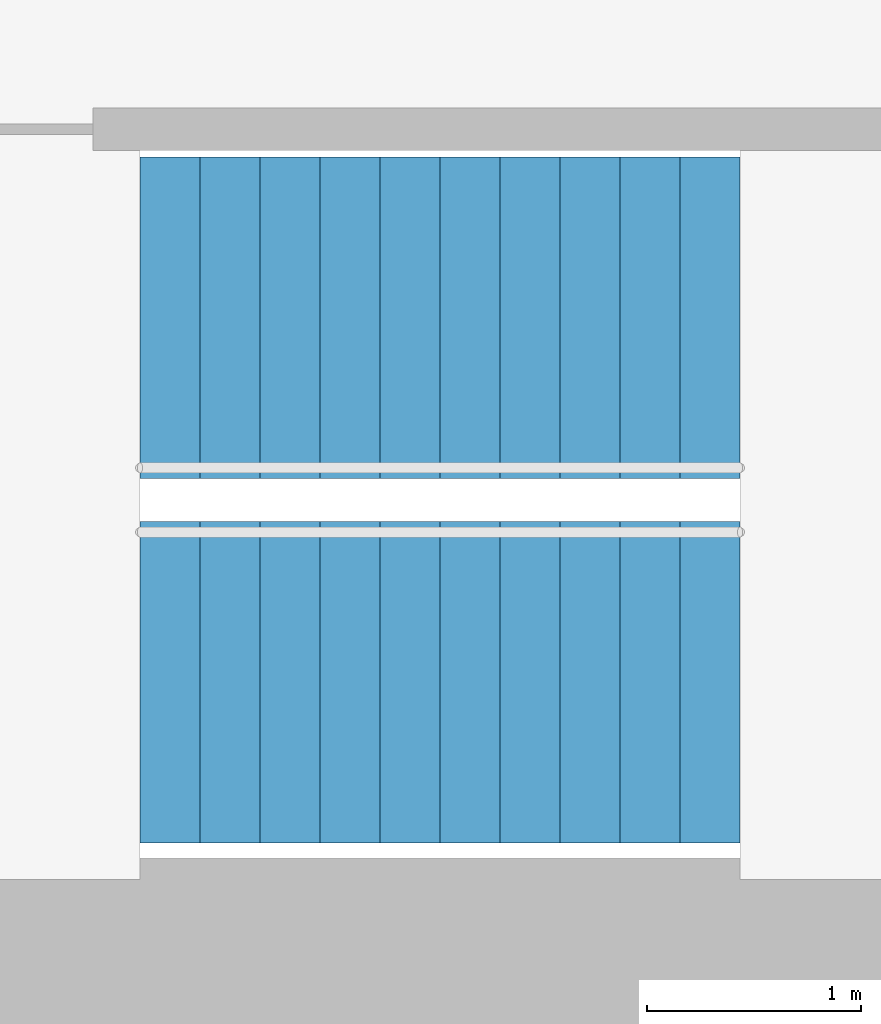
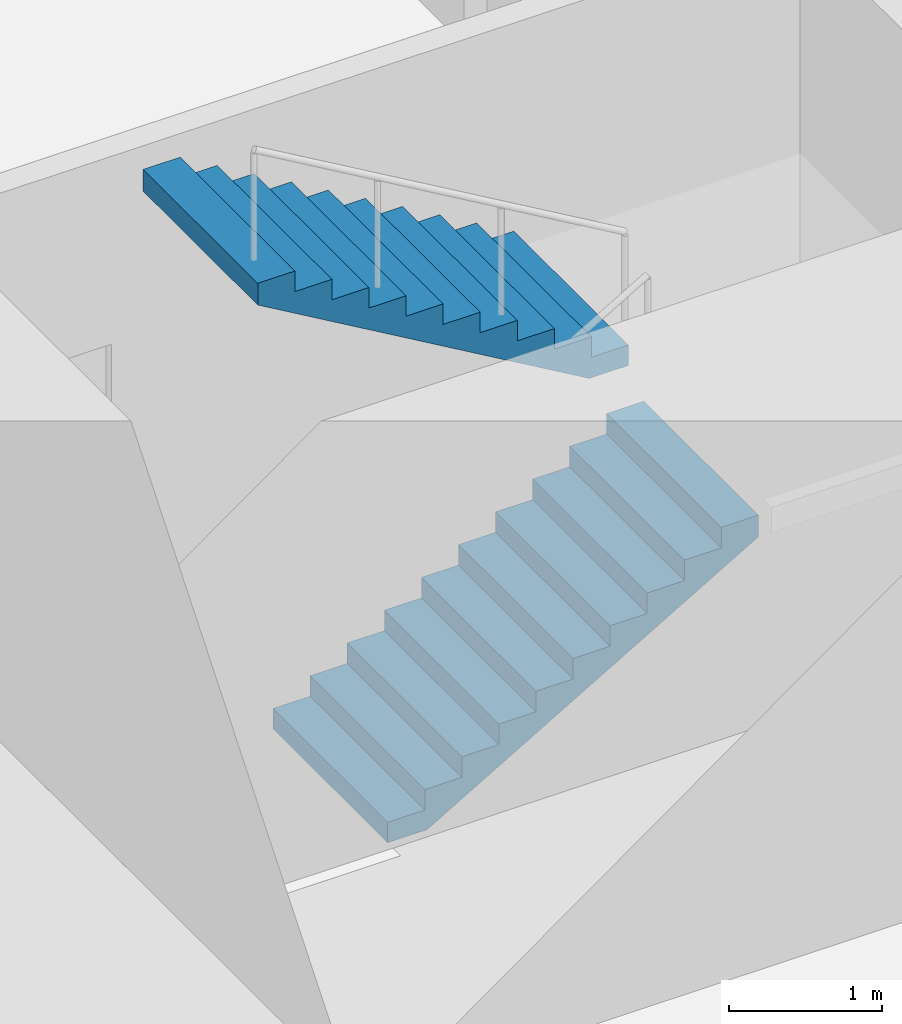
# One storey, part 14 of 17: 2 stair flights, 1 element without a shape of its own.
"""IFC4 building model written with IfcOpenShell, lengths in metres."""

from ifc_helpers import new_model, si_unit, direction, frame, origin, place, context, subcontext, project, spatial, triangles, material, type_object, element, aggregate, save


model = new_model("IFC4")

# Units and contexts
model_context = context("Model", 3, precision=1e-05, world=origin(), true_north=direction((0.0, 1.0)))
body_context = subcontext(model_context, "Body", "Model", "MODEL_VIEW")
ifc_project = project(units=[si_unit("LENGTHUNIT", "METRE"), si_unit("AREAUNIT", "SQUARE_METRE"), si_unit("VOLUMEUNIT", "CUBIC_METRE"), si_unit("PLANEANGLEUNIT", "RADIAN"), si_unit("MASSUNIT", "GRAM", prefix="KILO")], contexts=[model_context])

# Site, building, storey
site_placement = place(None, origin())
site = spatial("IfcSite", under=ifc_project, at=site_placement, CompositionType="ELEMENT")
building_placement = place(site_placement, origin())
building = spatial("IfcBuilding", under=site, at=building_placement, Name="Lantaw Convention Tower", CompositionType="ELEMENT")
storey_placement = place(building_placement, frame((0.0, 0.0, 69.39990234375)))
storey = spatial("IfcBuildingStorey", under=building, at=storey_placement, Name="L15", CompositionType="ELEMENT", Elevation=69.39990234375)

# Stair, stair flights
ifc_material = material(Name="Concrete C35/45", Category="concrete")
stair_type = type_object("IfcStairType", Name="Exit stair 1500 riser 163.64 in 2 flights", PredefinedType="HALF_TURN_STAIR", material=ifc_material)
stair_placement = place(storey_placement, origin())
stair = element("IfcStair", 1, at=stair_placement, inside=storey, type_object=stair_type, Name="Exit stair S1 L15", PredefinedType="HALF_TURN_STAIR")
stair_flight_type = type_object("IfcStairFlightType", Name="Stair flight 1500 riser 163.64", PredefinedType="STRAIGHT", material=ifc_material)
stair_flight_1_placement = place(storey_placement, frame((-10.580078125, -5.97998046875, 0.0), z_axis=(0.0, 0.0, 1.0), x_axis=(1.0, 0.0, 0.0)))
stair_flight_1 = element("IfcStairFlight", 2, at=stair_flight_1_placement, type_object=stair_flight_type, Name="S1 flight 1", NumberOfRisers=11, NumberOfTreads=10, PredefinedType="STRAIGHT", RiserHeight=0.163636364, TreadLength=0.28, context=body_context, shape_type="Tessellation", body=[
    triangles([(0.0, 0.75, 0.0), (0.0, 0.75, 0.163636364), (0.28, 0.75, 0.0), (0.28, 0.75, 0.163636364), (0.28, 0.75, 0.327272728), (0.2970904571225277, 0.75, 0.0), (0.2970904571225277, 0.75, 0.327272728), (0.56, 0.75, 0.1536484344906131), (0.56, 0.75, 0.327272728), (0.56, 0.75, 0.490909092), (0.8400000000000001, 0.75, 0.3172847984906131), (0.8400000000000001, 0.75, 0.490909092), (0.8400000000000001, 0.75, 0.654545456), (1.12, 0.75, 0.4809211624906131), (1.12, 0.75, 0.654545456), (1.12, 0.75, 0.8181818200000001), (1.4000000000000001, 0.75, 0.6445575264906132), (1.4000000000000001, 0.75, 0.8181818200000001), (1.4000000000000001, 0.75, 0.981818184), (1.6800000000000002, 0.75, 0.8081938904906131), (1.6800000000000002, 0.75, 0.981818184), (1.6800000000000002, 0.75, 1.145454548), (1.9600000000000002, 0.75, 0.9718302544906131), (1.9600000000000002, 0.75, 1.145454548), (1.9600000000000002, 0.75, 1.309090912), (2.24, 0.75, 1.135466618490613), (2.24, 0.75, 1.309090912), (2.24, 0.75, 1.472727276), (2.5200000000000005, 0.75, 1.2991029824906133), (2.5200000000000005, 0.75, 1.472727276), (2.5200000000000005, 0.75, 1.6363636400000001), (2.8000000000000003, 0.75, 1.462739346490613), (2.8000000000000003, 0.75, 1.6363636400000001), (0.0, -0.75, 0.0), (0.0, -0.75, 0.163636364), (0.28, -0.75, 0.0), (0.28, -0.75, 0.163636364), (0.28, -0.75, 0.327272728), (0.2970904571225277, -0.75, 0.0), (0.2970904571225277, -0.75, 0.327272728), (0.56, -0.75, 0.1536484344906131), (0.56, -0.75, 0.327272728), (0.56, -0.75, 0.490909092), (0.8400000000000001, -0.75, 0.3172847984906131), (0.8400000000000001, -0.75, 0.490909092), (0.8400000000000001, -0.75, 0.654545456), (1.12, -0.75, 0.4809211624906131), (1.12, -0.75, 0.654545456), (1.12, -0.75, 0.8181818200000001), (1.4000000000000001, -0.75, 0.6445575264906132), (1.4000000000000001, -0.75, 0.8181818200000001), (1.4000000000000001, -0.75, 0.981818184), (1.6800000000000002, -0.75, 0.8081938904906131), (1.6800000000000002, -0.75, 0.981818184), (1.6800000000000002, -0.75, 1.145454548), (1.9600000000000002, -0.75, 0.9718302544906131), (1.9600000000000002, -0.75, 1.145454548), (1.9600000000000002, -0.75, 1.309090912), (2.24, -0.75, 1.135466618490613), (2.24, -0.75, 1.309090912), (2.24, -0.75, 1.472727276), (2.5200000000000005, -0.75, 1.2991029824906133), (2.5200000000000005, -0.75, 1.472727276), (2.5200000000000005, -0.75, 1.6363636400000001), (2.8000000000000003, -0.75, 1.462739346490613), (2.8000000000000003, -0.75, 1.6363636400000001), (0.0, 0.15000000000000002, 0.163636364), (0.0, 0.15000000000000002, 0.0), (0.0, 0.0, 0.163636364), (0.0, 0.0, 0.0), (0.0, -0.15000000000000002, 0.163636364), (0.0, -0.15000000000000002, 0.0), (0.28, 0.15000000000000002, 0.327272728), (0.28, 0.15000000000000002, 0.163636364), (0.28, 0.0, 0.327272728), (0.28, 0.0, 0.163636364), (0.28, -0.15000000000000002, 0.327272728), (0.28, -0.15000000000000002, 0.163636364), (0.56, 0.15000000000000002, 0.490909092), (0.56, 0.15000000000000002, 0.327272728), (0.56, 0.0, 0.490909092), (0.56, 0.0, 0.327272728), (0.56, -0.15000000000000002, 0.490909092), (0.56, -0.15000000000000002, 0.327272728), (0.8400000000000001, 0.15000000000000002, 0.654545456), (0.8400000000000001, 0.15000000000000002, 0.490909092), (0.8400000000000001, 0.0, 0.654545456), (0.8400000000000001, 0.0, 0.490909092), (0.8400000000000001, -0.15000000000000002, 0.654545456), (0.8400000000000001, -0.15000000000000002, 0.490909092), (1.12, 0.15000000000000002, 0.8181818200000001), (1.12, 0.15000000000000002, 0.654545456), (1.12, 0.0, 0.8181818200000001), (1.12, 0.0, 0.654545456), (1.12, -0.15000000000000002, 0.8181818200000001), (1.12, -0.15000000000000002, 0.654545456), (1.4000000000000001, 0.15000000000000002, 0.981818184), (1.4000000000000001, 0.15000000000000002, 0.8181818200000001), (1.4000000000000001, 0.0, 0.981818184), (1.4000000000000001, 0.0, 0.8181818200000001), (1.4000000000000001, -0.15000000000000002, 0.981818184), (1.4000000000000001, -0.15000000000000002, 0.8181818200000001), (1.6800000000000002, 0.15000000000000002, 1.145454548), (1.6800000000000002, 0.15000000000000002, 0.981818184), (1.6800000000000002, 0.0, 1.145454548), (1.6800000000000002, 0.0, 0.981818184), (1.6800000000000002, -0.15000000000000002, 1.145454548), (1.6800000000000002, -0.15000000000000002, 0.981818184), (1.9600000000000002, 0.15000000000000002, 1.309090912), (1.9600000000000002, 0.15000000000000002, 1.145454548), (1.9600000000000002, 0.0, 1.309090912), (1.9600000000000002, 0.0, 1.145454548), (1.9600000000000002, -0.15000000000000002, 1.309090912), (1.9600000000000002, -0.15000000000000002, 1.145454548), (2.24, 0.15000000000000002, 1.472727276), (2.24, 0.15000000000000002, 1.309090912), (2.24, 0.0, 1.472727276), (2.24, 0.0, 1.309090912), (2.24, -0.15000000000000002, 1.472727276), (2.24, -0.15000000000000002, 1.309090912), (2.5200000000000005, 0.15000000000000002, 1.6363636400000001), (2.5200000000000005, 0.15000000000000002, 1.472727276), (2.5200000000000005, 0.0, 1.6363636400000001), (2.5200000000000005, 0.0, 1.472727276), (2.5200000000000005, -0.15000000000000002, 1.6363636400000001), (2.5200000000000005, -0.15000000000000002, 1.472727276), (0.2970904571225277, 0.15000000000000002, 0.327272728), (0.2970904571225277, 0.0, 0.327272728), (0.2970904571225277, -0.15000000000000002, 0.327272728), (2.8000000000000003, 0.15000000000000002, 1.6363636400000001), (2.8000000000000003, 0.0, 1.6363636400000001), (2.8000000000000003, -0.15000000000000002, 1.6363636400000001), (2.8000000000000003, 0.15000000000000002, 1.462739346490613), (2.8000000000000003, 0.0, 1.462739346490613), (2.8000000000000003, -0.15000000000000002, 1.462739346490613), (2.5200000000000005, 0.15000000000000002, 1.2991029824906133), (2.5200000000000005, 0.0, 1.2991029824906133), (2.5200000000000005, -0.15000000000000002, 1.2991029824906133), (2.24, 0.15000000000000002, 1.135466618490613), (2.24, 0.0, 1.135466618490613), (2.24, -0.15000000000000002, 1.135466618490613), (1.9600000000000002, 0.15000000000000002, 0.9718302544906131), (1.9600000000000002, 0.0, 0.9718302544906131), (1.9600000000000002, -0.15000000000000002, 0.9718302544906131), (1.6800000000000002, 0.15000000000000002, 0.8081938904906131), (1.6800000000000002, 0.0, 0.8081938904906131), (1.6800000000000002, -0.15000000000000002, 0.8081938904906131), (1.4000000000000001, 0.15000000000000002, 0.6445575264906132), (1.4000000000000001, 0.0, 0.6445575264906132), (1.4000000000000001, -0.15000000000000002, 0.6445575264906132), (1.12, 0.15000000000000002, 0.4809211624906131), (1.12, 0.0, 0.4809211624906131), (1.12, -0.15000000000000002, 0.4809211624906131), (0.8400000000000001, 0.15000000000000002, 0.3172847984906131), (0.8400000000000001, 0.0, 0.3172847984906131), (0.8400000000000001, -0.15000000000000002, 0.3172847984906131), (0.56, 0.15000000000000002, 0.1536484344906131), (0.56, 0.0, 0.1536484344906131), (0.56, -0.15000000000000002, 0.1536484344906131), (0.2970904571225277, 0.15000000000000002, 0.0), (0.2970904571225277, 0.0, 0.0), (0.2970904571225277, -0.15000000000000002, 0.0), (0.28, 0.15000000000000002, 0.0), (0.28, 0.0, 0.0), (0.28, -0.15000000000000002, 0.0)], [[1, 4, 3], [1, 2, 4], [3, 4, 6], [4, 7, 6], [4, 5, 7], [6, 9, 8], [6, 7, 9], [8, 9, 11], [9, 12, 11], [9, 10, 12], [11, 12, 14], [12, 15, 14], [12, 13, 15], [14, 15, 17], [15, 18, 17], [15, 16, 18], [17, 18, 20], [18, 21, 20], [18, 19, 21], [20, 21, 23], [21, 24, 23], [21, 22, 24], [23, 24, 26], [24, 27, 26], [24, 25, 27], [26, 27, 29], [27, 30, 29], [27, 28, 30], [29, 30, 32], [30, 33, 32], [30, 31, 33], [34, 36, 37], [34, 37, 35], [36, 39, 37], [37, 39, 40], [37, 40, 38], [39, 41, 42], [39, 42, 40], [41, 44, 42], [42, 44, 45], [42, 45, 43], [44, 47, 45], [45, 47, 48], [45, 48, 46], [47, 50, 48], [48, 50, 51], [48, 51, 49], [50, 53, 51], [51, 53, 54], [51, 54, 52], [53, 56, 54], [54, 56, 57], [54, 57, 55], [56, 59, 57], [57, 59, 60], [57, 60, 58], [59, 62, 60], [60, 62, 63], [60, 63, 61], [62, 65, 63], [63, 65, 66], [63, 66, 64], [1, 67, 2], [1, 68, 67], [68, 69, 67], [68, 70, 69], [70, 71, 69], [70, 72, 71], [72, 35, 71], [72, 34, 35], [4, 73, 5], [4, 74, 73], [74, 75, 73], [74, 76, 75], [76, 77, 75], [76, 78, 77], [78, 38, 77], [78, 37, 38], [9, 79, 10], [9, 80, 79], [80, 81, 79], [80, 82, 81], [82, 83, 81], [82, 84, 83], [84, 43, 83], [84, 42, 43], [12, 85, 13], [12, 86, 85], [86, 87, 85], [86, 88, 87], [88, 89, 87], [88, 90, 89], [90, 46, 89], [90, 45, 46], [15, 91, 16], [15, 92, 91], [92, 93, 91], [92, 94, 93], [94, 95, 93], [94, 96, 95], [96, 49, 95], [96, 48, 49], [18, 97, 19], [18, 98, 97], [98, 99, 97], [98, 100, 99], [100, 101, 99], [100, 102, 101], [102, 52, 101], [102, 51, 52], [21, 103, 22], [21, 104, 103], [104, 105, 103], [104, 106, 105], [106, 107, 105], [106, 108, 107], [108, 55, 107], [108, 54, 55], [24, 109, 25], [24, 110, 109], [110, 111, 109], [110, 112, 111], [112, 113, 111], [112, 114, 113], [114, 58, 113], [114, 57, 58], [27, 115, 28], [27, 116, 115], [116, 117, 115], [116, 118, 117], [118, 119, 117], [118, 120, 119], [120, 61, 119], [120, 60, 61], [30, 121, 31], [30, 122, 121], [122, 123, 121], [122, 124, 123], [124, 125, 123], [124, 126, 125], [126, 64, 125], [126, 63, 64], [2, 74, 4], [2, 67, 74], [67, 76, 74], [67, 69, 76], [69, 78, 76], [69, 71, 78], [71, 37, 78], [71, 35, 37], [5, 127, 7], [5, 73, 127], [73, 128, 127], [73, 75, 128], [75, 129, 128], [75, 77, 129], [77, 40, 129], [77, 38, 40], [7, 80, 9], [7, 127, 80], [127, 82, 80], [127, 128, 82], [128, 84, 82], [128, 129, 84], [129, 42, 84], [129, 40, 42], [10, 86, 12], [10, 79, 86], [79, 88, 86], [79, 81, 88], [81, 90, 88], [81, 83, 90], [83, 45, 90], [83, 43, 45], [13, 92, 15], [13, 85, 92], [85, 94, 92], [85, 87, 94], [87, 96, 94], [87, 89, 96], [89, 48, 96], [89, 46, 48], [16, 98, 18], [16, 91, 98], [91, 100, 98], [91, 93, 100], [93, 102, 100], [93, 95, 102], [95, 51, 102], [95, 49, 51], [19, 104, 21], [19, 97, 104], [97, 106, 104], [97, 99, 106], [99, 108, 106], [99, 101, 108], [101, 54, 108], [101, 52, 54], [22, 110, 24], [22, 103, 110], [103, 112, 110], [103, 105, 112], [105, 114, 112], [105, 107, 114], [107, 57, 114], [107, 55, 57], [25, 116, 27], [25, 109, 116], [109, 118, 116], [109, 111, 118], [111, 120, 118], [111, 113, 120], [113, 60, 120], [113, 58, 60], [28, 122, 30], [28, 115, 122], [115, 124, 122], [115, 117, 124], [117, 126, 124], [117, 119, 126], [119, 63, 126], [119, 61, 63], [31, 130, 33], [31, 121, 130], [121, 131, 130], [121, 123, 131], [123, 132, 131], [123, 125, 132], [125, 66, 132], [125, 64, 66], [33, 133, 32], [33, 130, 133], [130, 134, 133], [130, 131, 134], [131, 135, 134], [131, 132, 135], [132, 65, 135], [132, 66, 65], [32, 136, 29], [32, 133, 136], [133, 137, 136], [133, 134, 137], [134, 138, 137], [134, 135, 138], [135, 62, 138], [135, 65, 62], [29, 139, 26], [29, 136, 139], [136, 140, 139], [136, 137, 140], [137, 141, 140], [137, 138, 141], [138, 59, 141], [138, 62, 59], [26, 142, 23], [26, 139, 142], [139, 143, 142], [139, 140, 143], [140, 144, 143], [140, 141, 144], [141, 56, 144], [141, 59, 56], [23, 145, 20], [23, 142, 145], [142, 146, 145], [142, 143, 146], [143, 147, 146], [143, 144, 147], [144, 53, 147], [144, 56, 53], [20, 148, 17], [20, 145, 148], [145, 149, 148], [145, 146, 149], [146, 150, 149], [146, 147, 150], [147, 50, 150], [147, 53, 50], [17, 151, 14], [17, 148, 151], [148, 152, 151], [148, 149, 152], [149, 153, 152], [149, 150, 153], [150, 47, 153], [150, 50, 47], [14, 154, 11], [14, 151, 154], [151, 155, 154], [151, 152, 155], [152, 156, 155], [152, 153, 156], [153, 44, 156], [153, 47, 44], [11, 157, 8], [11, 154, 157], [154, 158, 157], [154, 155, 158], [155, 159, 158], [155, 156, 159], [156, 41, 159], [156, 44, 41], [8, 160, 6], [8, 157, 160], [157, 161, 160], [157, 158, 161], [158, 162, 161], [158, 159, 162], [159, 39, 162], [159, 41, 39], [6, 163, 3], [6, 160, 163], [160, 164, 163], [160, 161, 164], [161, 165, 164], [161, 162, 165], [162, 36, 165], [162, 39, 36], [3, 68, 1], [3, 163, 68], [163, 70, 68], [163, 164, 70], [164, 72, 70], [164, 165, 72], [165, 34, 72], [165, 36, 34]], closed=True),
])
stair_flight_2_placement = place(storey_placement, frame((-7.780029296875, -4.280029296875, 1.800048828125), z_axis=(0.0, 0.0, 1.0), x_axis=(-1.0, 0.0, 0.0)))
stair_flight_2 = element("IfcStairFlight", 3, at=stair_flight_2_placement, type_object=stair_flight_type, Name="S1 flight 2", NumberOfRisers=11, NumberOfTreads=10, PredefinedType="STRAIGHT", RiserHeight=0.163636364, TreadLength=0.28, context=body_context, shape_type="Tessellation", body=[
    triangles([(0.0, 0.75, 0.0), (0.0, 0.75, 0.163636364), (0.28, 0.75, 0.0), (0.28, 0.75, 0.163636364), (0.28, 0.75, 0.327272728), (0.2970904571225277, 0.75, 0.0), (0.2970904571225277, 0.75, 0.327272728), (0.56, 0.75, 0.1536484344906131), (0.56, 0.75, 0.327272728), (0.56, 0.75, 0.490909092), (0.8400000000000001, 0.75, 0.3172847984906131), (0.8400000000000001, 0.75, 0.490909092), (0.8400000000000001, 0.75, 0.654545456), (1.12, 0.75, 0.4809211624906131), (1.12, 0.75, 0.654545456), (1.12, 0.75, 0.8181818200000001), (1.4000000000000001, 0.75, 0.6445575264906132), (1.4000000000000001, 0.75, 0.8181818200000001), (1.4000000000000001, 0.75, 0.981818184), (1.6800000000000002, 0.75, 0.8081938904906131), (1.6800000000000002, 0.75, 0.981818184), (1.6800000000000002, 0.75, 1.145454548), (1.9600000000000002, 0.75, 0.9718302544906131), (1.9600000000000002, 0.75, 1.145454548), (1.9600000000000002, 0.75, 1.309090912), (2.24, 0.75, 1.135466618490613), (2.24, 0.75, 1.309090912), (2.24, 0.75, 1.472727276), (2.5200000000000005, 0.75, 1.2991029824906133), (2.5200000000000005, 0.75, 1.472727276), (2.5200000000000005, 0.75, 1.6363636400000001), (2.8000000000000003, 0.75, 1.462739346490613), (2.8000000000000003, 0.75, 1.6363636400000001), (0.0, -0.75, 0.0), (0.0, -0.75, 0.163636364), (0.28, -0.75, 0.0), (0.28, -0.75, 0.163636364), (0.28, -0.75, 0.327272728), (0.2970904571225277, -0.75, 0.0), (0.2970904571225277, -0.75, 0.327272728), (0.56, -0.75, 0.1536484344906131), (0.56, -0.75, 0.327272728), (0.56, -0.75, 0.490909092), (0.8400000000000001, -0.75, 0.3172847984906131), (0.8400000000000001, -0.75, 0.490909092), (0.8400000000000001, -0.75, 0.654545456), (1.12, -0.75, 0.4809211624906131), (1.12, -0.75, 0.654545456), (1.12, -0.75, 0.8181818200000001), (1.4000000000000001, -0.75, 0.6445575264906132), (1.4000000000000001, -0.75, 0.8181818200000001), (1.4000000000000001, -0.75, 0.981818184), (1.6800000000000002, -0.75, 0.8081938904906131), (1.6800000000000002, -0.75, 0.981818184), (1.6800000000000002, -0.75, 1.145454548), (1.9600000000000002, -0.75, 0.9718302544906131), (1.9600000000000002, -0.75, 1.145454548), (1.9600000000000002, -0.75, 1.309090912), (2.24, -0.75, 1.135466618490613), (2.24, -0.75, 1.309090912), (2.24, -0.75, 1.472727276), (2.5200000000000005, -0.75, 1.2991029824906133), (2.5200000000000005, -0.75, 1.472727276), (2.5200000000000005, -0.75, 1.6363636400000001), (2.8000000000000003, -0.75, 1.462739346490613), (2.8000000000000003, -0.75, 1.6363636400000001), (0.0, 0.15000000000000002, 0.163636364), (0.0, 0.15000000000000002, 0.0), (0.0, 0.0, 0.163636364), (0.0, 0.0, 0.0), (0.0, -0.15000000000000002, 0.163636364), (0.0, -0.15000000000000002, 0.0), (0.28, 0.15000000000000002, 0.327272728), (0.28, 0.15000000000000002, 0.163636364), (0.28, 0.0, 0.327272728), (0.28, 0.0, 0.163636364), (0.28, -0.15000000000000002, 0.327272728), (0.28, -0.15000000000000002, 0.163636364), (0.56, 0.15000000000000002, 0.490909092), (0.56, 0.15000000000000002, 0.327272728), (0.56, 0.0, 0.490909092), (0.56, 0.0, 0.327272728), (0.56, -0.15000000000000002, 0.490909092), (0.56, -0.15000000000000002, 0.327272728), (0.8400000000000001, 0.15000000000000002, 0.654545456), (0.8400000000000001, 0.15000000000000002, 0.490909092), (0.8400000000000001, 0.0, 0.654545456), (0.8400000000000001, 0.0, 0.490909092), (0.8400000000000001, -0.15000000000000002, 0.654545456), (0.8400000000000001, -0.15000000000000002, 0.490909092), (1.12, 0.15000000000000002, 0.8181818200000001), (1.12, 0.15000000000000002, 0.654545456), (1.12, 0.0, 0.8181818200000001), (1.12, 0.0, 0.654545456), (1.12, -0.15000000000000002, 0.8181818200000001), (1.12, -0.15000000000000002, 0.654545456), (1.4000000000000001, 0.15000000000000002, 0.981818184), (1.4000000000000001, 0.15000000000000002, 0.8181818200000001), (1.4000000000000001, 0.0, 0.981818184), (1.4000000000000001, 0.0, 0.8181818200000001), (1.4000000000000001, -0.15000000000000002, 0.981818184), (1.4000000000000001, -0.15000000000000002, 0.8181818200000001), (1.6800000000000002, 0.15000000000000002, 1.145454548), (1.6800000000000002, 0.15000000000000002, 0.981818184), (1.6800000000000002, 0.0, 1.145454548), (1.6800000000000002, 0.0, 0.981818184), (1.6800000000000002, -0.15000000000000002, 1.145454548), (1.6800000000000002, -0.15000000000000002, 0.981818184), (1.9600000000000002, 0.15000000000000002, 1.309090912), (1.9600000000000002, 0.15000000000000002, 1.145454548), (1.9600000000000002, 0.0, 1.309090912), (1.9600000000000002, 0.0, 1.145454548), (1.9600000000000002, -0.15000000000000002, 1.309090912), (1.9600000000000002, -0.15000000000000002, 1.145454548), (2.24, 0.15000000000000002, 1.472727276), (2.24, 0.15000000000000002, 1.309090912), (2.24, 0.0, 1.472727276), (2.24, 0.0, 1.309090912), (2.24, -0.15000000000000002, 1.472727276), (2.24, -0.15000000000000002, 1.309090912), (2.5200000000000005, 0.15000000000000002, 1.6363636400000001), (2.5200000000000005, 0.15000000000000002, 1.472727276), (2.5200000000000005, 0.0, 1.6363636400000001), (2.5200000000000005, 0.0, 1.472727276), (2.5200000000000005, -0.15000000000000002, 1.6363636400000001), (2.5200000000000005, -0.15000000000000002, 1.472727276), (0.2970904571225277, 0.15000000000000002, 0.327272728), (0.2970904571225277, 0.0, 0.327272728), (0.2970904571225277, -0.15000000000000002, 0.327272728), (2.8000000000000003, 0.15000000000000002, 1.6363636400000001), (2.8000000000000003, 0.0, 1.6363636400000001), (2.8000000000000003, -0.15000000000000002, 1.6363636400000001), (2.8000000000000003, 0.15000000000000002, 1.462739346490613), (2.8000000000000003, 0.0, 1.462739346490613), (2.8000000000000003, -0.15000000000000002, 1.462739346490613), (2.5200000000000005, 0.15000000000000002, 1.2991029824906133), (2.5200000000000005, 0.0, 1.2991029824906133), (2.5200000000000005, -0.15000000000000002, 1.2991029824906133), (2.24, 0.15000000000000002, 1.135466618490613), (2.24, 0.0, 1.135466618490613), (2.24, -0.15000000000000002, 1.135466618490613), (1.9600000000000002, 0.15000000000000002, 0.9718302544906131), (1.9600000000000002, 0.0, 0.9718302544906131), (1.9600000000000002, -0.15000000000000002, 0.9718302544906131), (1.6800000000000002, 0.15000000000000002, 0.8081938904906131), (1.6800000000000002, 0.0, 0.8081938904906131), (1.6800000000000002, -0.15000000000000002, 0.8081938904906131), (1.4000000000000001, 0.15000000000000002, 0.6445575264906132), (1.4000000000000001, 0.0, 0.6445575264906132), (1.4000000000000001, -0.15000000000000002, 0.6445575264906132), (1.12, 0.15000000000000002, 0.4809211624906131), (1.12, 0.0, 0.4809211624906131), (1.12, -0.15000000000000002, 0.4809211624906131), (0.8400000000000001, 0.15000000000000002, 0.3172847984906131), (0.8400000000000001, 0.0, 0.3172847984906131), (0.8400000000000001, -0.15000000000000002, 0.3172847984906131), (0.56, 0.15000000000000002, 0.1536484344906131), (0.56, 0.0, 0.1536484344906131), (0.56, -0.15000000000000002, 0.1536484344906131), (0.2970904571225277, 0.15000000000000002, 0.0), (0.2970904571225277, 0.0, 0.0), (0.2970904571225277, -0.15000000000000002, 0.0), (0.28, 0.15000000000000002, 0.0), (0.28, 0.0, 0.0), (0.28, -0.15000000000000002, 0.0)], [[1, 4, 3], [1, 2, 4], [3, 4, 6], [4, 7, 6], [4, 5, 7], [6, 9, 8], [6, 7, 9], [8, 9, 11], [9, 12, 11], [9, 10, 12], [11, 12, 14], [12, 15, 14], [12, 13, 15], [14, 15, 17], [15, 18, 17], [15, 16, 18], [17, 18, 20], [18, 21, 20], [18, 19, 21], [20, 21, 23], [21, 24, 23], [21, 22, 24], [23, 24, 26], [24, 27, 26], [24, 25, 27], [26, 27, 29], [27, 30, 29], [27, 28, 30], [29, 30, 32], [30, 33, 32], [30, 31, 33], [34, 36, 37], [34, 37, 35], [36, 39, 37], [37, 39, 40], [37, 40, 38], [39, 41, 42], [39, 42, 40], [41, 44, 42], [42, 44, 45], [42, 45, 43], [44, 47, 45], [45, 47, 48], [45, 48, 46], [47, 50, 48], [48, 50, 51], [48, 51, 49], [50, 53, 51], [51, 53, 54], [51, 54, 52], [53, 56, 54], [54, 56, 57], [54, 57, 55], [56, 59, 57], [57, 59, 60], [57, 60, 58], [59, 62, 60], [60, 62, 63], [60, 63, 61], [62, 65, 63], [63, 65, 66], [63, 66, 64], [1, 67, 2], [1, 68, 67], [68, 69, 67], [68, 70, 69], [70, 71, 69], [70, 72, 71], [72, 35, 71], [72, 34, 35], [4, 73, 5], [4, 74, 73], [74, 75, 73], [74, 76, 75], [76, 77, 75], [76, 78, 77], [78, 38, 77], [78, 37, 38], [9, 79, 10], [9, 80, 79], [80, 81, 79], [80, 82, 81], [82, 83, 81], [82, 84, 83], [84, 43, 83], [84, 42, 43], [12, 85, 13], [12, 86, 85], [86, 87, 85], [86, 88, 87], [88, 89, 87], [88, 90, 89], [90, 46, 89], [90, 45, 46], [15, 91, 16], [15, 92, 91], [92, 93, 91], [92, 94, 93], [94, 95, 93], [94, 96, 95], [96, 49, 95], [96, 48, 49], [18, 97, 19], [18, 98, 97], [98, 99, 97], [98, 100, 99], [100, 101, 99], [100, 102, 101], [102, 52, 101], [102, 51, 52], [21, 103, 22], [21, 104, 103], [104, 105, 103], [104, 106, 105], [106, 107, 105], [106, 108, 107], [108, 55, 107], [108, 54, 55], [24, 109, 25], [24, 110, 109], [110, 111, 109], [110, 112, 111], [112, 113, 111], [112, 114, 113], [114, 58, 113], [114, 57, 58], [27, 115, 28], [27, 116, 115], [116, 117, 115], [116, 118, 117], [118, 119, 117], [118, 120, 119], [120, 61, 119], [120, 60, 61], [30, 121, 31], [30, 122, 121], [122, 123, 121], [122, 124, 123], [124, 125, 123], [124, 126, 125], [126, 64, 125], [126, 63, 64], [2, 74, 4], [2, 67, 74], [67, 76, 74], [67, 69, 76], [69, 78, 76], [69, 71, 78], [71, 37, 78], [71, 35, 37], [5, 127, 7], [5, 73, 127], [73, 128, 127], [73, 75, 128], [75, 129, 128], [75, 77, 129], [77, 40, 129], [77, 38, 40], [7, 80, 9], [7, 127, 80], [127, 82, 80], [127, 128, 82], [128, 84, 82], [128, 129, 84], [129, 42, 84], [129, 40, 42], [10, 86, 12], [10, 79, 86], [79, 88, 86], [79, 81, 88], [81, 90, 88], [81, 83, 90], [83, 45, 90], [83, 43, 45], [13, 92, 15], [13, 85, 92], [85, 94, 92], [85, 87, 94], [87, 96, 94], [87, 89, 96], [89, 48, 96], [89, 46, 48], [16, 98, 18], [16, 91, 98], [91, 100, 98], [91, 93, 100], [93, 102, 100], [93, 95, 102], [95, 51, 102], [95, 49, 51], [19, 104, 21], [19, 97, 104], [97, 106, 104], [97, 99, 106], [99, 108, 106], [99, 101, 108], [101, 54, 108], [101, 52, 54], [22, 110, 24], [22, 103, 110], [103, 112, 110], [103, 105, 112], [105, 114, 112], [105, 107, 114], [107, 57, 114], [107, 55, 57], [25, 116, 27], [25, 109, 116], [109, 118, 116], [109, 111, 118], [111, 120, 118], [111, 113, 120], [113, 60, 120], [113, 58, 60], [28, 122, 30], [28, 115, 122], [115, 124, 122], [115, 117, 124], [117, 126, 124], [117, 119, 126], [119, 63, 126], [119, 61, 63], [31, 130, 33], [31, 121, 130], [121, 131, 130], [121, 123, 131], [123, 132, 131], [123, 125, 132], [125, 66, 132], [125, 64, 66], [33, 133, 32], [33, 130, 133], [130, 134, 133], [130, 131, 134], [131, 135, 134], [131, 132, 135], [132, 65, 135], [132, 66, 65], [32, 136, 29], [32, 133, 136], [133, 137, 136], [133, 134, 137], [134, 138, 137], [134, 135, 138], [135, 62, 138], [135, 65, 62], [29, 139, 26], [29, 136, 139], [136, 140, 139], [136, 137, 140], [137, 141, 140], [137, 138, 141], [138, 59, 141], [138, 62, 59], [26, 142, 23], [26, 139, 142], [139, 143, 142], [139, 140, 143], [140, 144, 143], [140, 141, 144], [141, 56, 144], [141, 59, 56], [23, 145, 20], [23, 142, 145], [142, 146, 145], [142, 143, 146], [143, 147, 146], [143, 144, 147], [144, 53, 147], [144, 56, 53], [20, 148, 17], [20, 145, 148], [145, 149, 148], [145, 146, 149], [146, 150, 149], [146, 147, 150], [147, 50, 150], [147, 53, 50], [17, 151, 14], [17, 148, 151], [148, 152, 151], [148, 149, 152], [149, 153, 152], [149, 150, 153], [150, 47, 153], [150, 50, 47], [14, 154, 11], [14, 151, 154], [151, 155, 154], [151, 152, 155], [152, 156, 155], [152, 153, 156], [153, 44, 156], [153, 47, 44], [11, 157, 8], [11, 154, 157], [154, 158, 157], [154, 155, 158], [155, 159, 158], [155, 156, 159], [156, 41, 159], [156, 44, 41], [8, 160, 6], [8, 157, 160], [157, 161, 160], [157, 158, 161], [158, 162, 161], [158, 159, 162], [159, 39, 162], [159, 41, 39], [6, 163, 3], [6, 160, 163], [160, 164, 163], [160, 161, 164], [161, 165, 164], [161, 162, 165], [162, 36, 165], [162, 39, 36], [3, 68, 1], [3, 163, 68], [163, 70, 68], [163, 164, 70], [164, 72, 70], [164, 165, 72], [165, 34, 72], [165, 36, 34]], closed=True),
])
aggregate(stair, [stair_flight_1, stair_flight_2])

save(model, "model.ifc")
